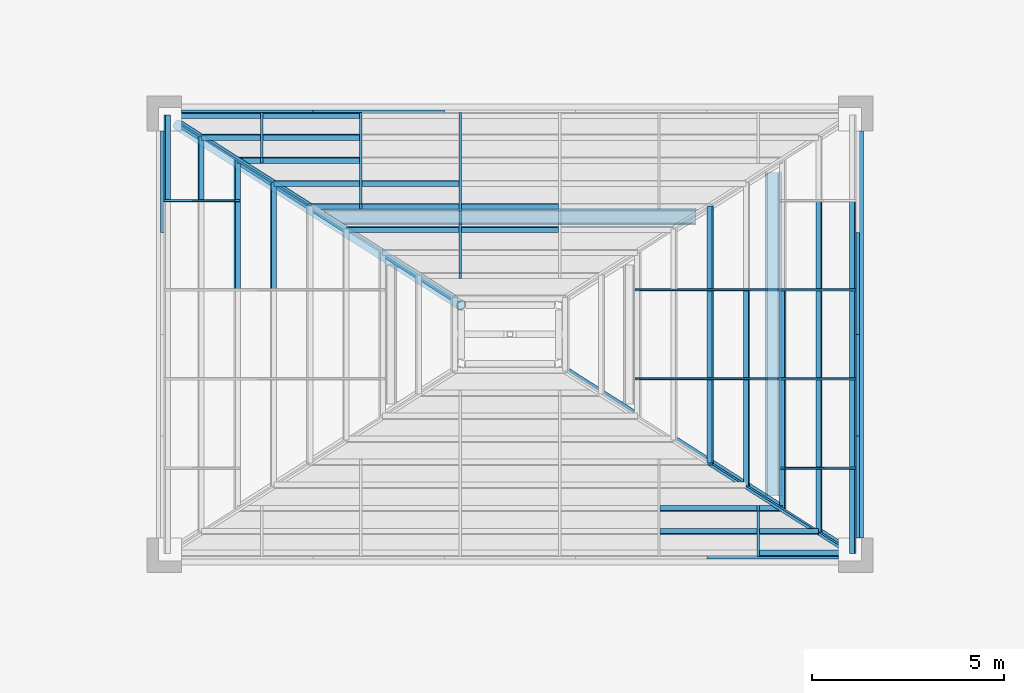
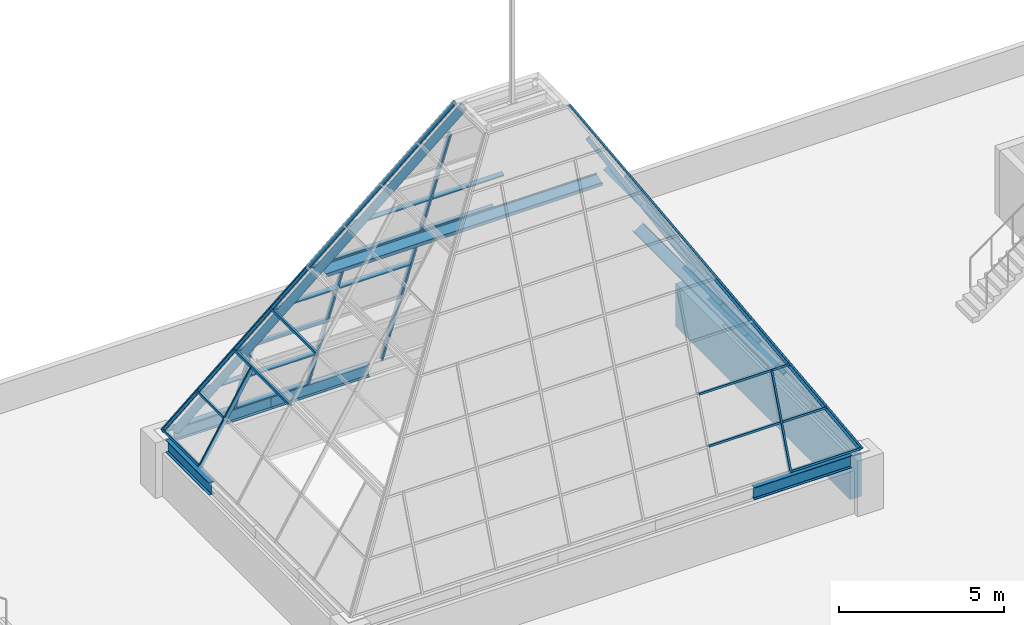
# One storey, part 3 of 8: 49 members, 8 beams, 4 elements without a shape of their own.
"""IFC4 building model written with IfcOpenShell, lengths in metres."""

from ifc_helpers import new_model, si_unit, direction, frame, origin, origin_2d, place, context, subcontext, project, spatial, rectangle, hollow_circle, i_section, extrude, material, layer, layer_set, material_profile, profile_set, type_object, element, aggregate, save


model = new_model("IFC4")

# Units and contexts
model_context = context("Model", 3, precision=1e-05, world=origin(), true_north=direction((0.0, 1.0)))
body_context = subcontext(model_context, "Body", "Model", "MODEL_VIEW")
ifc_project = project(units=[si_unit("LENGTHUNIT", "METRE"), si_unit("AREAUNIT", "SQUARE_METRE"), si_unit("VOLUMEUNIT", "CUBIC_METRE"), si_unit("PLANEANGLEUNIT", "RADIAN"), si_unit("MASSUNIT", "GRAM", prefix="KILO")], contexts=[model_context])

# Site, building, storey
site_placement = place(None, origin())
site = spatial("IfcSite", under=ifc_project, at=site_placement, CompositionType="ELEMENT")
building_placement = place(site_placement, origin())
building = spatial("IfcBuilding", under=site, at=building_placement, Name="Brigalow Station Residences", CompositionType="ELEMENT")
storey_placement = place(building_placement, frame((0.0, 0.0, 244.199951171875)))
storey = spatial("IfcBuildingStorey", under=building, at=storey_placement, Name="Roof", CompositionType="ELEMENT", Elevation=244.199951171875)

# Members
ifc_material_1 = material(Name="Steel Grade C350L0 to AS/NZS 1163", Category="steel")
ifc_material_profile_1 = material_profile(ifc_material_1, hollow_circle(Radius=0.136474609375, WallThickness=0.00927734375, at=origin_2d()), Name="273.1x9.3CHS")
ifc_profile_set_1 = profile_set([ifc_material_profile_1], Name="Steel Grade C350L0 to AS/NZS 1163")
member_type_1 = type_object("IfcMemberType", Name="CROWN FRAME HIP RIB 273.1x9.3CHS", PredefinedType="RAFTER", material=ifc_profile_set_1)
member_1_placement = place(storey_placement, frame((27.350341796875, 35.201416015625, 2.169677734375), z_axis=(0.490116390262, -0.311610602771, 0.814054516748), x_axis=(0.670788330844, 0.731216181017, -0.123959315187)))
element("IfcMember", 1, at=member_1_placement, inside=storey, type_object=member_type_1, Name="CROWN FRAME HIP RIB NW", PredefinedType="RAFTER", context=body_context, shape_type="SweptSolid", body=[
    extrude(hollow_circle(Radius=0.136474609375, WallThickness=0.00927734375, at=origin_2d()), origin(), (0.0, 0.0, 1.0), 15.051513671875),
])
ifc_material_2 = material(Name="Steel Grade 300 to AS/NZS 3679.1", Category="steel")
ifc_material_profile_2 = material_profile(ifc_material_2, i_section(OverallWidth=0.177978515625, OverallDepth=0.406494140625, WebThickness=0.0078125, FlangeThickness=0.0126953125, FilletRadius=0.011474609375, at=origin_2d()), Name="410UB59.7")
ifc_profile_set_2 = profile_set([ifc_material_profile_2], Name="Steel Grade 300 to AS/NZS 3679.1")
member_type_2 = type_object("IfcMemberType", Name="CROWN FRAME HOOP 410UB59.7 SPAN TO 10 M", PredefinedType="PURLIN", material=ifc_profile_set_2)
member_2_placement = place(storey_placement, frame((42.85986328125, 25.5419921875, 5.01318359375), z_axis=(0.0, 1.0, 0.0), x_axis=(-0.515812812605, 0.0, 0.85670131455)))
element("IfcMember", 2, at=member_2_placement, inside=storey, type_object=member_type_2, Name="CROWN FRAME HOOP E2", PredefinedType="PURLIN", context=body_context, shape_type="SweptSolid", body=[
    extrude(i_section(OverallWidth=0.177978515625, OverallDepth=0.406494140625, WebThickness=0.0078125, FlangeThickness=0.0126953125, FilletRadius=0.011474609375, at=origin_2d()), origin(), (0.0, 0.0, 1.0), 8.416015625),
])
member_3_placement = place(storey_placement, frame((40.847412109375, 32.820068359375, 8.203857421875), z_axis=(-1.0, 0.0, 0.0), x_axis=(0.0, -0.357491171676, 0.933916517775)))
element("IfcMember", 3, at=member_3_placement, inside=storey, type_object=member_type_2, Name="CROWN FRAME HOOP N4", PredefinedType="PURLIN", context=body_context, shape_type="SweptSolid", body=[
    extrude(i_section(OverallWidth=0.177978515625, OverallDepth=0.406494140625, WebThickness=0.0078125, FlangeThickness=0.0126953125, FilletRadius=0.011474609375, at=origin_2d()), origin(), (0.0, 0.0, 1.0), 9.69482421875),
])

# Beams
ifc_material_3 = material(Name="Steel Grade 300 to AS/NZS 3679.1", Category="steel")
ifc_material_profile_3 = material_profile(ifc_material_3, i_section(OverallWidth=0.19091796875, OverallDepth=0.46044921875, WebThickness=0.010009765625, FlangeThickness=0.01611328125, FilletRadius=0.011474609375, at=origin_2d()), Name="460UB82.1")
ifc_profile_set_3 = profile_set([ifc_material_profile_3], Name="Steel Grade 300 to AS/NZS 3679.1")
beam_type_1 = type_object("IfcBeamType", Name="CROWN FRAME RING BEAM 460UB82.1", PredefinedType="BEAM", material=ifc_profile_set_3)
beam_1_placement = place(storey_placement, frame((41.1298828125, 24.0, 1.830322265625), z_axis=(1.0, 0.0, 0.0), x_axis=(0.0, 1.0, 0.0)))
element("IfcBeam", 4, at=beam_1_placement, inside=storey, type_object=beam_type_1, Name="CROWN FRAME RING BEAM S5", PredefinedType="BEAM", context=body_context, shape_type="SweptSolid", body=[
    extrude(i_section(OverallWidth=0.19091796875, OverallDepth=0.46044921875, WebThickness=0.010009765625, FlangeThickness=0.01611328125, FilletRadius=0.011474609375, at=origin_2d()), origin(), (0.0, 0.0, 1.0), 3.420166015625),
])
beam_2_placement = place(storey_placement, frame((34.2900390625, 35.5, 1.830322265625), z_axis=(-1.0, 0.0, 0.0), x_axis=(0.0, -1.0, 0.0)))
element("IfcBeam", 5, at=beam_2_placement, inside=storey, type_object=beam_type_1, Name="CROWN FRAME RING BEAM N4", PredefinedType="BEAM", context=body_context, shape_type="SweptSolid", body=[
    extrude(i_section(OverallWidth=0.19091796875, OverallDepth=0.46044921875, WebThickness=0.010009765625, FlangeThickness=0.01611328125, FilletRadius=0.011474609375, at=origin_2d()), origin(), (0.0, 0.0, 1.0), 3.419921875),
])
beam_3_placement = place(storey_placement, frame((30.8701171875, 35.5, 1.830322265625), z_axis=(-1.0, 0.0, 0.0), x_axis=(0.0, -1.0, 0.0)))
element("IfcBeam", 6, at=beam_3_placement, inside=storey, type_object=beam_type_1, Name="CROWN FRAME RING BEAM N5", PredefinedType="BEAM", context=body_context, shape_type="SweptSolid", body=[
    extrude(i_section(OverallWidth=0.19091796875, OverallDepth=0.46044921875, WebThickness=0.010009765625, FlangeThickness=0.01611328125, FilletRadius=0.011474609375, at=origin_2d()), origin(), (0.0, 0.0, 1.0), 3.420166015625),
])
beam_4_placement = place(storey_placement, frame((45.0, 24.449951171875, 1.830322265625), z_axis=(0.0, 1.0, 0.0), x_axis=(-1.0, 0.0, 0.0)))
element("IfcBeam", 7, at=beam_4_placement, inside=storey, type_object=beam_type_1, Name="CROWN FRAME RING BEAM E1", PredefinedType="BEAM", context=body_context, shape_type="SweptSolid", body=[
    extrude(i_section(OverallWidth=0.19091796875, OverallDepth=0.46044921875, WebThickness=0.010009765625, FlangeThickness=0.01611328125, FilletRadius=0.011474609375, at=origin_2d()), origin(), (0.0, 0.0, 1.0), 2.650146484375),
])
for number, where, z_axis, x_axis, name in (
    (8, (45.0, 27.10009765625, 1.830322265625), (0.0, 1.0, 0.0), (-1.0, 0.0, 0.0), "CROWN FRAME RING BEAM E2"),
    (9, (45.0, 29.75, 1.830322265625), (0.0, 1.0, 0.0), (-1.0, 0.0, 0.0), "CROWN FRAME RING BEAM E3"),
):
    element("IfcBeam", number, at=place(storey_placement, frame(where, z_axis=z_axis, x_axis=x_axis)), inside=storey, type_object=beam_type_1, Name=name, PredefinedType="BEAM", context=body_context, shape_type="SweptSolid", body=[
        extrude(i_section(OverallWidth=0.19091796875, OverallDepth=0.46044921875, WebThickness=0.010009765625, FlangeThickness=0.01611328125, FilletRadius=0.011474609375, at=origin_2d()), origin(), (0.0, 0.0, 1.0), 2.64990234375),
    ])
beam_5_placement = place(storey_placement, frame((27.0, 35.050048828125, 1.830322265625), z_axis=(0.0, -1.0, 0.0), x_axis=(1.0, 0.0, 0.0)))
element("IfcBeam", 10, at=beam_5_placement, inside=storey, type_object=beam_type_1, Name="CROWN FRAME RING BEAM W1", PredefinedType="BEAM", context=body_context, shape_type="SweptSolid", body=[
    extrude(i_section(OverallWidth=0.19091796875, OverallDepth=0.46044921875, WebThickness=0.010009765625, FlangeThickness=0.01611328125, FilletRadius=0.011474609375, at=origin_2d()), origin(), (0.0, 0.0, 1.0), 2.650146484375),
])

# Curtain wall, members
ifc_material_4 = material(Name="Aluminium", Category="aluminium")
ifc_layer = layer(ifc_material_4, 0.14990234375)
ifc_layer_set = layer_set([ifc_layer], Name="CROWN CURTAIN WALL")
curtain_wall_type = type_object("IfcCurtainWallType", Name="CROWN CURTAIN WALL", PredefinedType="NOTDEFINED", material=ifc_layer_set)
curtain_wall_1_placement = place(storey_placement, origin())
curtain_wall_1 = element("IfcCurtainWall", 11, at=curtain_wall_1_placement, inside=storey, type_object=curtain_wall_type, Name="Roof/cw/crown-E", PredefinedType="NOTDEFINED")
ifc_material_5 = material(Name="Aluminium", Category="aluminium")
ifc_material_profile_4 = material_profile(ifc_material_5, rectangle(XDim=0.050048828125, YDim=0.14990234375, at=origin_2d()), Name="CROWN MULLION 50x150")
ifc_profile_set_4 = profile_set([ifc_material_profile_4], Name="Aluminium")
member_type_3 = type_object("IfcMemberType", Name="CROWN MULLION 50x150", PredefinedType="MULLION", material=ifc_profile_set_4)
member_4_placement = place(storey_placement, frame((44.93505859375, 24.008544921875, 2.10595703125), z_axis=(-0.490142364548, 0.311596240668, 0.814044375496), x_axis=(-0.160707203509, -0.950214597997, 0.266955824986)))
member_4 = element("IfcMember", 12, at=member_4_placement, type_object=member_type_3, Name="Roof/cw/crown-E/HL1", PredefinedType="MULLION", context=body_context, shape_type="SweptSolid", body=[
    extrude(rectangle(XDim=0.050048828125, YDim=0.14990234375, at=origin_2d()), origin(), (0.0, 0.0, 1.0), 7.5986328125),
])
member_5_placement = place(storey_placement, frame((44.939208984375, 26.27001953125, 2.09912109375), z_axis=(-0.515833026971, 0.0, 0.856689143322), x_axis=(0.0, -1.0, 0.0)))
member_5 = element("IfcMember", 13, at=member_5_placement, type_object=member_type_3, Name="Roof/cw/crown-E/M00", PredefinedType="MULLION", context=body_context, shape_type="SweptSolid", body=[
    extrude(rectangle(XDim=0.050048828125, YDim=0.14990234375, at=origin_2d()), origin(), (0.0, 0.0, 1.0), 3.569091796875),
])
member_6_placement = place(storey_placement, frame((44.939208984375, 28.590087890625, 2.09912109375), z_axis=(-0.515814192551, 0.0, 0.856700483695), x_axis=(0.0, -1.0, 0.0)))
member_6 = element("IfcMember", 14, at=member_6_placement, type_object=member_type_3, Name="Roof/cw/crown-E/M01", PredefinedType="MULLION", context=body_context, shape_type="SweptSolid", body=[
    extrude(rectangle(XDim=0.050048828125, YDim=0.14990234375, at=origin_2d()), origin(), (0.0, 0.0, 1.0), 10.8876953125),
])
member_7_placement = place(storey_placement, frame((44.939208984375, 30.909912109375, 2.09912109375), z_axis=(-0.515814192551, 0.0, 0.856700483695), x_axis=(0.0, -1.0, 0.0)))
member_7 = element("IfcMember", 15, at=member_7_placement, type_object=member_type_3, Name="Roof/cw/crown-E/M02", PredefinedType="MULLION", context=body_context, shape_type="SweptSolid", body=[
    extrude(rectangle(XDim=0.050048828125, YDim=0.14990234375, at=origin_2d()), origin(), (0.0, 0.0, 1.0), 10.8876953125),
])

curtain_wall_2_placement = place(storey_placement, origin())
curtain_wall_2 = element("IfcCurtainWall", 16, at=curtain_wall_2_placement, inside=storey, type_object=curtain_wall_type, Name="Roof/cw/crown-W", PredefinedType="NOTDEFINED")
member_8_placement = place(storey_placement, frame((27.06494140625, 35.491455078125, 2.10595703125), z_axis=(0.490142364548, -0.311596240668, 0.814044375496), x_axis=(0.160707203509, 0.950214597997, 0.266955824986)))
member_8 = element("IfcMember", 17, at=member_8_placement, type_object=member_type_3, Name="Roof/cw/crown-W/HL1", PredefinedType="MULLION", context=body_context, shape_type="SweptSolid", body=[
    extrude(rectangle(XDim=0.050048828125, YDim=0.14990234375, at=origin_2d()), origin(), (0.0, 0.0, 1.0), 7.5986328125),
])
member_9_placement = place(storey_placement, frame((27.060791015625, 33.22998046875, 2.09912109375), z_axis=(0.515833026971, 0.0, 0.856689143322), x_axis=(0.0, 1.0, 0.0)))
member_9 = element("IfcMember", 18, at=member_9_placement, type_object=member_type_3, Name="Roof/cw/crown-W/M00", PredefinedType="MULLION", context=body_context, shape_type="SweptSolid", body=[
    extrude(rectangle(XDim=0.050048828125, YDim=0.14990234375, at=origin_2d()), origin(), (0.0, 0.0, 1.0), 3.569091796875),
])

curtain_wall_3_placement = place(storey_placement, origin())
curtain_wall_3 = element("IfcCurtainWall", 19, at=curtain_wall_3_placement, inside=storey, type_object=curtain_wall_type, Name="Roof/cw/crown-S", PredefinedType="NOTDEFINED")
ifc_material_6 = material(Name="Aluminium", Category="aluminium")
ifc_material_profile_5 = material_profile(ifc_material_6, rectangle(XDim=0.06494140625, YDim=0.14990234375, at=origin_2d()), Name="CROWN MULLION 65x150")
ifc_profile_set_5 = profile_set([ifc_material_profile_5], Name="Aluminium")
member_type_4 = type_object("IfcMemberType", Name="CROWN MULLION 65x150", PredefinedType="MULLION", material=ifc_profile_set_5)
member_10_placement = place(storey_placement, frame((44.971435546875, 24.04638671875, 2.10205078125), z_axis=(-0.490131750728, 0.311599236636, 0.814049619284), x_axis=(-0.871648361899, -0.175225678842, -0.45773911202)))
member_10 = element("IfcMember", 20, at=member_10_placement, type_object=member_type_4, Name="Roof/cw/crown-S/HR", PredefinedType="MULLION", context=body_context, shape_type="SweptSolid", body=[
    extrude(rectangle(XDim=0.06494140625, YDim=0.14990234375, at=origin_2d()), origin(), (0.0, 0.0, 1.0), 15.31982421875),
])
member_11_placement = place(storey_placement, frame((42.46435546875, 24.04052734375, 2.087158203125), z_axis=(0.0, 0.357481124807, 0.933920363525), x_axis=(-1.0, 0.0, 0.0)))
member_11 = element("IfcMember", 21, at=member_11_placement, type_object=member_type_4, Name="Roof/cw/crown-S/M05", PredefinedType="MULLION", context=body_context, shape_type="SweptSolid", body=[
    extrude(rectangle(XDim=0.06494140625, YDim=0.14990234375, at=origin_2d()), origin(), (0.0, 0.0, 1.0), 3.29931640625),
])

curtain_wall_4_placement = place(storey_placement, origin())
curtain_wall_4 = element("IfcCurtainWall", 22, at=curtain_wall_4_placement, inside=storey, type_object=curtain_wall_type, Name="Roof/cw/crown-N", PredefinedType="NOTDEFINED")
member_12_placement = place(storey_placement, frame((27.028564453125, 35.45361328125, 2.10205078125), z_axis=(0.490131750728, -0.311599236636, 0.814049619284), x_axis=(0.871648361899, 0.175225678842, -0.45773911202)))
member_12 = element("IfcMember", 23, at=member_12_placement, type_object=member_type_4, Name="Roof/cw/crown-N/HR", PredefinedType="MULLION", context=body_context, shape_type="SweptSolid", body=[
    extrude(rectangle(XDim=0.06494140625, YDim=0.14990234375, at=origin_2d()), origin(), (0.0, 0.0, 1.0), 15.31982421875),
])
member_13_placement = place(storey_placement, frame((34.70703125, 35.45947265625, 2.087158203125), z_axis=(0.0, -0.357484135166, 0.93391921123), x_axis=(1.0, 0.0, 0.0)))
member_13 = element("IfcMember", 24, at=member_13_placement, type_object=member_type_4, Name="Roof/cw/crown-N/M03", PredefinedType="MULLION", context=body_context, shape_type="SweptSolid", body=[
    extrude(rectangle(XDim=0.06494140625, YDim=0.14990234375, at=origin_2d()), origin(), (0.0, 0.0, 1.0), 11.691162109375),
])
member_14_placement = place(storey_placement, frame((32.121337890625, 35.45947265625, 2.087158203125), z_axis=(0.0, -0.357474392357, 0.933922940509), x_axis=(1.0, 0.0, 0.0)))
member_14 = element("IfcMember", 25, at=member_14_placement, type_object=member_type_4, Name="Roof/cw/crown-N/M04", PredefinedType="MULLION", context=body_context, shape_type="SweptSolid", body=[
    extrude(rectangle(XDim=0.06494140625, YDim=0.14990234375, at=origin_2d()), origin(), (0.0, 0.0, 1.0), 6.656005859375),
])
member_15_placement = place(storey_placement, frame((29.53564453125, 35.45947265625, 2.087158203125), z_axis=(0.0, -0.357481124807, 0.933920363525), x_axis=(1.0, 0.0, 0.0)))
member_15 = element("IfcMember", 26, at=member_15_placement, type_object=member_type_4, Name="Roof/cw/crown-N/M05", PredefinedType="MULLION", context=body_context, shape_type="SweptSolid", body=[
    extrude(rectangle(XDim=0.06494140625, YDim=0.14990234375, at=origin_2d()), origin(), (0.0, 0.0, 1.0), 3.29931640625),
])

# Member
ifc_material_7 = material(Name="Aluminium", Category="aluminium")
ifc_material_profile_6 = material_profile(ifc_material_7, rectangle(XDim=0.06494140625, YDim=0.14990234375, at=origin_2d()), Name="CROWN TRANSOM 65x150")
ifc_profile_set_6 = profile_set([ifc_material_profile_6], Name="Aluminium")
member_type_5 = type_object("IfcMemberType", Name="CROWN TRANSOM 65x150", PredefinedType="USERDEFINED", material=ifc_profile_set_6)
member_16_placement = place(storey_placement, frame((42.496826171875, 24.05224609375, 2.11767578125), z_axis=(1.0, 0.0, 0.0), x_axis=(0.0, 0.357491171676, 0.933916517775)))
member_16 = element("IfcMember", 27, at=member_16_placement, type_object=member_type_5, Name="Roof/cw/crown-S/T06-00", ObjectType="TRANSOM", PredefinedType="USERDEFINED", context=body_context, shape_type="SweptSolid", body=[
    extrude(rectangle(XDim=0.06494140625, YDim=0.14990234375, at=origin_2d()), origin(), (0.0, 0.0, 1.0), 2.427978515625),
])

member_17_placement = place(storey_placement, frame((39.9111328125, 24.6201171875, 3.60107421875), z_axis=(1.0, 0.0, 0.0), x_axis=(0.0, 0.357491171676, 0.933916517775)))
member_17 = element("IfcMember", 28, at=member_17_placement, type_object=member_type_5, Name="Roof/cw/crown-S/T05-01", ObjectType="TRANSOM", PredefinedType="USERDEFINED", context=body_context, shape_type="SweptSolid", body=[
    extrude(rectangle(XDim=0.06494140625, YDim=0.14990234375, at=origin_2d()), origin(), (0.0, 0.0, 1.0), 2.520751953125),
])

member_18_placement = place(storey_placement, frame((42.496826171875, 24.6201171875, 3.60107421875), z_axis=(1.0, 0.0, 0.0), x_axis=(0.0, 0.357491171676, 0.933916517775)))
member_18 = element("IfcMember", 29, at=member_18_placement, type_object=member_type_5, Name="Roof/cw/crown-S/T06-01", ObjectType="TRANSOM", PredefinedType="USERDEFINED", context=body_context, shape_type="SweptSolid", body=[
    extrude(rectangle(XDim=0.06494140625, YDim=0.14990234375, at=origin_2d()), origin(), (0.0, 0.0, 1.0), 1.534912109375),
])

member_19_placement = place(storey_placement, frame((39.9111328125, 25.219970703125, 5.16845703125), z_axis=(1.0, 0.0, 0.0), x_axis=(0.0, 0.357491171676, 0.933916517775)))
member_19 = element("IfcMember", 30, at=member_19_placement, type_object=member_type_5, Name="Roof/cw/crown-S/T04-02", ObjectType="TRANSOM", PredefinedType="USERDEFINED", context=body_context, shape_type="SweptSolid", body=[
    extrude(rectangle(XDim=0.06494140625, YDim=0.14990234375, at=origin_2d()), origin(), (0.0, 0.0, 1.0), 3.1767578125),
])

aggregate(curtain_wall_3, [member_10, member_11, member_16, member_17, member_18, member_19])

member_20_placement = place(storey_placement, frame((44.92236328125, 24.04296875, 2.126953125), z_axis=(0.0, 1.0, 0.0), x_axis=(-0.515812812605, 0.0, 0.85670131455)))
member_20 = element("IfcMember", 31, at=member_20_placement, type_object=member_type_5, Name="Roof/cw/crown-E/T00-00", ObjectType="TRANSOM", PredefinedType="USERDEFINED", context=body_context, shape_type="SweptSolid", body=[
    extrude(rectangle(XDim=0.06494140625, YDim=0.14990234375, at=origin_2d()), origin(), (0.0, 0.0, 1.0), 2.2021484375),
])

member_21_placement = place(storey_placement, frame((44.92236328125, 26.294921875, 2.126953125), z_axis=(0.0, 1.0, 0.0), x_axis=(-0.515812812605, 0.0, 0.85670131455)))
member_21 = element("IfcMember", 32, at=member_21_placement, type_object=member_type_5, Name="Roof/cw/crown-E/T01-00", ObjectType="TRANSOM", PredefinedType="USERDEFINED", context=body_context, shape_type="SweptSolid", body=[
    extrude(rectangle(XDim=0.06494140625, YDim=0.14990234375, at=origin_2d()), origin(), (0.0, 0.0, 1.0), 2.27001953125),
])

member_22_placement = place(storey_placement, frame((44.92236328125, 28.614990234375, 2.126953125), z_axis=(0.0, 1.0, 0.0), x_axis=(-0.515812812605, 0.0, 0.85670131455)))
member_22 = element("IfcMember", 33, at=member_22_placement, type_object=member_type_5, Name="Roof/cw/crown-E/T02-00", ObjectType="TRANSOM", PredefinedType="USERDEFINED", context=body_context, shape_type="SweptSolid", body=[
    extrude(rectangle(XDim=0.06494140625, YDim=0.14990234375, at=origin_2d()), origin(), (0.0, 0.0, 1.0), 2.27001953125),
])

member_23_placement = place(storey_placement, frame((44.92236328125, 30.93505859375, 2.126953125), z_axis=(0.0, 1.0, 0.0), x_axis=(-0.515812812605, 0.0, 0.85670131455)))
member_23 = element("IfcMember", 34, at=member_23_placement, type_object=member_type_5, Name="Roof/cw/crown-E/T03-00", ObjectType="TRANSOM", PredefinedType="USERDEFINED", context=body_context, shape_type="SweptSolid", body=[
    extrude(rectangle(XDim=0.06494140625, YDim=0.14990234375, at=origin_2d()), origin(), (0.0, 0.0, 1.0), 2.27001953125),
])

member_24_placement = place(storey_placement, frame((44.0419921875, 24.6025390625, 3.58935546875), z_axis=(0.0, 1.0, 0.0), x_axis=(-0.515812812605, 0.0, 0.85670131455)))
member_24 = element("IfcMember", 35, at=member_24_placement, type_object=member_type_5, Name="Roof/cw/crown-E/T00-01", ObjectType="TRANSOM", PredefinedType="USERDEFINED", context=body_context, shape_type="SweptSolid", body=[
    extrude(rectangle(XDim=0.06494140625, YDim=0.14990234375, at=origin_2d()), origin(), (0.0, 0.0, 1.0), 1.642578125),
])

member_25_placement = place(storey_placement, frame((44.0419921875, 26.294921875, 3.58935546875), z_axis=(0.0, 1.0, 0.0), x_axis=(-0.515812812605, 0.0, 0.85670131455)))
member_25 = element("IfcMember", 36, at=member_25_placement, type_object=member_type_5, Name="Roof/cw/crown-E/T01-01", ObjectType="TRANSOM", PredefinedType="USERDEFINED", context=body_context, shape_type="SweptSolid", body=[
    extrude(rectangle(XDim=0.06494140625, YDim=0.14990234375, at=origin_2d()), origin(), (0.0, 0.0, 1.0), 2.27001953125),
])

member_26_placement = place(storey_placement, frame((44.0419921875, 28.614990234375, 3.58935546875), z_axis=(0.0, 1.0, 0.0), x_axis=(-0.515812812605, 0.0, 0.85670131455)))
member_26 = element("IfcMember", 37, at=member_26_placement, type_object=member_type_5, Name="Roof/cw/crown-E/T02-01", ObjectType="TRANSOM", PredefinedType="USERDEFINED", context=body_context, shape_type="SweptSolid", body=[
    extrude(rectangle(XDim=0.06494140625, YDim=0.14990234375, at=origin_2d()), origin(), (0.0, 0.0, 1.0), 2.27001953125),
])

member_27_placement = place(storey_placement, frame((44.0419921875, 30.93505859375, 3.58935546875), z_axis=(0.0, 1.0, 0.0), x_axis=(-0.515812812605, 0.0, 0.85670131455)))
member_27 = element("IfcMember", 38, at=member_27_placement, type_object=member_type_5, Name="Roof/cw/crown-E/T03-01", ObjectType="TRANSOM", PredefinedType="USERDEFINED", context=body_context, shape_type="SweptSolid", body=[
    extrude(rectangle(XDim=0.06494140625, YDim=0.14990234375, at=origin_2d()), origin(), (0.0, 0.0, 1.0), 2.27001953125),
])

member_28_placement = place(storey_placement, frame((43.09814453125, 25.20263671875, 5.15673828125), z_axis=(0.0, 1.0, 0.0), x_axis=(-0.515812812605, 0.0, 0.85670131455)))
member_28 = element("IfcMember", 39, at=member_28_placement, type_object=member_type_5, Name="Roof/cw/crown-E/T00-02", ObjectType="TRANSOM", PredefinedType="USERDEFINED", context=body_context, shape_type="SweptSolid", body=[
    extrude(rectangle(XDim=0.06494140625, YDim=0.14990234375, at=origin_2d()), origin(), (0.0, 0.0, 1.0), 3.3623046875),
])

member_29_placement = place(storey_placement, frame((43.09814453125, 28.614990234375, 5.15673828125), z_axis=(0.0, 1.0, 0.0), x_axis=(-0.515812812605, 0.0, 0.85670131455)))
member_29 = element("IfcMember", 40, at=member_29_placement, type_object=member_type_5, Name="Roof/cw/crown-E/T01-02", ObjectType="TRANSOM", PredefinedType="USERDEFINED", context=body_context, shape_type="SweptSolid", body=[
    extrude(rectangle(XDim=0.06494140625, YDim=0.14990234375, at=origin_2d()), origin(), (0.0, 0.0, 1.0), 2.27001953125),
])

member_30_placement = place(storey_placement, frame((42.154541015625, 25.802490234375, 6.72412109375), z_axis=(0.0, 1.0, 0.0), x_axis=(-0.515812812605, 0.0, 0.85670131455)))
member_30 = element("IfcMember", 41, at=member_30_placement, type_object=member_type_5, Name="Roof/cw/crown-E/T00-03", ObjectType="TRANSOM", PredefinedType="USERDEFINED", context=body_context, shape_type="SweptSolid", body=[
    extrude(rectangle(XDim=0.06494140625, YDim=0.14990234375, at=origin_2d()), origin(), (0.0, 0.0, 1.0), 2.762451171875),
])

member_31_placement = place(storey_placement, frame((42.154541015625, 28.614990234375, 6.72412109375), z_axis=(0.0, 1.0, 0.0), x_axis=(-0.515812812605, 0.0, 0.85670131455)))
member_31 = element("IfcMember", 42, at=member_31_placement, type_object=member_type_5, Name="Roof/cw/crown-E/T01-03", ObjectType="TRANSOM", PredefinedType="USERDEFINED", context=body_context, shape_type="SweptSolid", body=[
    extrude(rectangle(XDim=0.06494140625, YDim=0.14990234375, at=origin_2d()), origin(), (0.0, 0.0, 1.0), 2.27001953125),
])

member_32_placement = place(storey_placement, frame((41.210693359375, 26.402587890625, 8.29150390625), z_axis=(0.0, 1.0, 0.0), x_axis=(-0.515812812605, 0.0, 0.85670131455)))
member_32 = element("IfcMember", 43, at=member_32_placement, type_object=member_type_5, Name="Roof/cw/crown-E/T00-04", ObjectType="TRANSOM", PredefinedType="USERDEFINED", context=body_context, shape_type="SweptSolid", body=[
    extrude(rectangle(XDim=0.06494140625, YDim=0.14990234375, at=origin_2d()), origin(), (0.0, 0.0, 1.0), 2.162353515625),
])

member_33_placement = place(storey_placement, frame((41.210693359375, 28.614990234375, 8.29150390625), z_axis=(0.0, 1.0, 0.0), x_axis=(-0.515812812605, 0.0, 0.85670131455)))
member_33 = element("IfcMember", 44, at=member_33_placement, type_object=member_type_5, Name="Roof/cw/crown-E/T01-04", ObjectType="TRANSOM", PredefinedType="USERDEFINED", context=body_context, shape_type="SweptSolid", body=[
    extrude(rectangle(XDim=0.06494140625, YDim=0.14990234375, at=origin_2d()), origin(), (0.0, 0.0, 1.0), 2.27001953125),
])

member_34_placement = place(storey_placement, frame((41.210693359375, 30.93505859375, 8.29150390625), z_axis=(0.0, 1.0, 0.0), x_axis=(-0.515812812605, 0.0, 0.85670131455)))
member_34 = element("IfcMember", 45, at=member_34_placement, type_object=member_type_5, Name="Roof/cw/crown-E/T02-04", ObjectType="TRANSOM", PredefinedType="USERDEFINED", context=body_context, shape_type="SweptSolid", body=[
    extrude(rectangle(XDim=0.06494140625, YDim=0.14990234375, at=origin_2d()), origin(), (0.0, 0.0, 1.0), 2.162353515625),
])

aggregate(curtain_wall_1, [member_4, member_5, member_6, member_7, member_20, member_21, member_22, member_23, member_24, member_25, member_26, member_27, member_28, member_29, member_30, member_31, member_32, member_33, member_34])

member_35_placement = place(storey_placement, frame((32.0888671875, 35.44775390625, 2.11767578125), z_axis=(-1.0, 0.0, 0.0), x_axis=(0.0, -0.357491171676, 0.933916517775)))
member_35 = element("IfcMember", 46, at=member_35_placement, type_object=member_type_5, Name="Roof/cw/crown-N/T05-00", ObjectType="TRANSOM", PredefinedType="USERDEFINED", context=body_context, shape_type="SweptSolid", body=[
    extrude(rectangle(XDim=0.06494140625, YDim=0.14990234375, at=origin_2d()), origin(), (0.0, 0.0, 1.0), 2.520751953125),
])

member_36_placement = place(storey_placement, frame((29.503173828125, 35.44775390625, 2.11767578125), z_axis=(-1.0, 0.0, 0.0), x_axis=(0.0, -0.357491171676, 0.933916517775)))
member_36 = element("IfcMember", 47, at=member_36_placement, type_object=member_type_5, Name="Roof/cw/crown-N/T06-00", ObjectType="TRANSOM", PredefinedType="USERDEFINED", context=body_context, shape_type="SweptSolid", body=[
    extrude(rectangle(XDim=0.06494140625, YDim=0.14990234375, at=origin_2d()), origin(), (0.0, 0.0, 1.0), 2.427978515625),
])

member_37_placement = place(storey_placement, frame((32.0888671875, 34.8798828125, 3.60107421875), z_axis=(-1.0, 0.0, 0.0), x_axis=(0.0, -0.357491171676, 0.933916517775)))
member_37 = element("IfcMember", 48, at=member_37_placement, type_object=member_type_5, Name="Roof/cw/crown-N/T05-01", ObjectType="TRANSOM", PredefinedType="USERDEFINED", context=body_context, shape_type="SweptSolid", body=[
    extrude(rectangle(XDim=0.06494140625, YDim=0.14990234375, at=origin_2d()), origin(), (0.0, 0.0, 1.0), 2.520751953125),
])

member_38_placement = place(storey_placement, frame((29.503173828125, 34.8798828125, 3.60107421875), z_axis=(-1.0, 0.0, 0.0), x_axis=(0.0, -0.357491171676, 0.933916517775)))
member_38 = element("IfcMember", 49, at=member_38_placement, type_object=member_type_5, Name="Roof/cw/crown-N/T06-01", ObjectType="TRANSOM", PredefinedType="USERDEFINED", context=body_context, shape_type="SweptSolid", body=[
    extrude(rectangle(XDim=0.06494140625, YDim=0.14990234375, at=origin_2d()), origin(), (0.0, 0.0, 1.0), 1.534912109375),
])

member_39_placement = place(storey_placement, frame((32.0888671875, 34.280029296875, 5.16845703125), z_axis=(-1.0, 0.0, 0.0), x_axis=(0.0, -0.357491171676, 0.933916517775)))
member_39 = element("IfcMember", 50, at=member_39_placement, type_object=member_type_5, Name="Roof/cw/crown-N/T04-02", ObjectType="TRANSOM", PredefinedType="USERDEFINED", context=body_context, shape_type="SweptSolid", body=[
    extrude(rectangle(XDim=0.06494140625, YDim=0.14990234375, at=origin_2d()), origin(), (0.0, 0.0, 1.0), 3.1767578125),
])

member_40_placement = place(storey_placement, frame((34.674560546875, 33.679931640625, 6.73583984375), z_axis=(-1.0, 0.0, 0.0), x_axis=(0.0, -0.357491171676, 0.933916517775)))
member_40 = element("IfcMember", 51, at=member_40_placement, type_object=member_type_5, Name="Roof/cw/crown-N/T03-03", ObjectType="TRANSOM", PredefinedType="USERDEFINED", context=body_context, shape_type="SweptSolid", body=[
    extrude(rectangle(XDim=0.06494140625, YDim=0.14990234375, at=origin_2d()), origin(), (0.0, 0.0, 1.0), 2.520751953125),
])

member_41_placement = place(storey_placement, frame((32.0888671875, 33.679931640625, 6.73583984375), z_axis=(-1.0, 0.0, 0.0), x_axis=(0.0, -0.357491171676, 0.933916517775)))
member_41 = element("IfcMember", 52, at=member_41_placement, type_object=member_type_5, Name="Roof/cw/crown-N/T04-03", ObjectType="TRANSOM", PredefinedType="USERDEFINED", context=body_context, shape_type="SweptSolid", body=[
    extrude(rectangle(XDim=0.06494140625, YDim=0.14990234375, at=origin_2d()), origin(), (0.0, 0.0, 1.0), 2.233154296875),
])

member_42_placement = place(storey_placement, frame((37.260498046875, 33.080078125, 8.303466796875), z_axis=(-1.0, 0.0, 0.0), x_axis=(0.0, -0.357491171676, 0.933916517775)))
member_42 = element("IfcMember", 53, at=member_42_placement, type_object=member_type_5, Name="Roof/cw/crown-N/T01-04", ObjectType="TRANSOM", PredefinedType="USERDEFINED", context=body_context, shape_type="SweptSolid", body=[
    extrude(rectangle(XDim=0.06494140625, YDim=0.14990234375, at=origin_2d()), origin(), (0.0, 0.0, 1.0), 2.52099609375),
])

member_43_placement = place(storey_placement, frame((34.674560546875, 33.080078125, 8.303466796875), z_axis=(-1.0, 0.0, 0.0), x_axis=(0.0, -0.357491171676, 0.933916517775)))
member_43 = element("IfcMember", 54, at=member_43_placement, type_object=member_type_5, Name="Roof/cw/crown-N/T02-04", ObjectType="TRANSOM", PredefinedType="USERDEFINED", context=body_context, shape_type="SweptSolid", body=[
    extrude(rectangle(XDim=0.06494140625, YDim=0.14990234375, at=origin_2d()), origin(), (0.0, 0.0, 1.0), 3.875),
])

member_44_placement = place(storey_placement, frame((37.260498046875, 32.47998046875, 9.870849609375), z_axis=(-1.0, 0.0, 0.0), x_axis=(0.0, -0.357491171676, 0.933916517775)))
member_44 = element("IfcMember", 55, at=member_44_placement, type_object=member_type_5, Name="Roof/cw/crown-N/T01-05", ObjectType="TRANSOM", PredefinedType="USERDEFINED", context=body_context, shape_type="SweptSolid", body=[
    extrude(rectangle(XDim=0.06494140625, YDim=0.14990234375, at=origin_2d()), origin(), (0.0, 0.0, 1.0), 2.52099609375),
])

member_45_placement = place(storey_placement, frame((34.674560546875, 32.47998046875, 9.870849609375), z_axis=(-1.0, 0.0, 0.0), x_axis=(0.0, -0.357491171676, 0.933916517775)))
member_45 = element("IfcMember", 56, at=member_45_placement, type_object=member_type_5, Name="Roof/cw/crown-N/T02-05", ObjectType="TRANSOM", PredefinedType="USERDEFINED", context=body_context, shape_type="SweptSolid", body=[
    extrude(rectangle(XDim=0.06494140625, YDim=0.14990234375, at=origin_2d()), origin(), (0.0, 0.0, 1.0), 2.93115234375),
])

aggregate(curtain_wall_4, [member_12, member_13, member_14, member_15, member_35, member_36, member_37, member_38, member_39, member_40, member_41, member_42, member_43, member_44, member_45])

member_46_placement = place(storey_placement, frame((27.07763671875, 35.45703125, 2.126953125), z_axis=(0.0, -1.0, 0.0), x_axis=(0.515812812605, 0.0, 0.85670131455)))
member_46 = element("IfcMember", 57, at=member_46_placement, type_object=member_type_5, Name="Roof/cw/crown-W/T00-00", ObjectType="TRANSOM", PredefinedType="USERDEFINED", context=body_context, shape_type="SweptSolid", body=[
    extrude(rectangle(XDim=0.06494140625, YDim=0.14990234375, at=origin_2d()), origin(), (0.0, 0.0, 1.0), 2.2021484375),
])

member_47_placement = place(storey_placement, frame((27.9580078125, 34.8974609375, 3.58935546875), z_axis=(0.0, -1.0, 0.0), x_axis=(0.515812812605, 0.0, 0.85670131455)))
member_47 = element("IfcMember", 58, at=member_47_placement, type_object=member_type_5, Name="Roof/cw/crown-W/T00-01", ObjectType="TRANSOM", PredefinedType="USERDEFINED", context=body_context, shape_type="SweptSolid", body=[
    extrude(rectangle(XDim=0.06494140625, YDim=0.14990234375, at=origin_2d()), origin(), (0.0, 0.0, 1.0), 1.642578125),
])

member_48_placement = place(storey_placement, frame((28.90185546875, 34.29736328125, 5.15673828125), z_axis=(0.0, -1.0, 0.0), x_axis=(0.515812812605, 0.0, 0.85670131455)))
member_48 = element("IfcMember", 59, at=member_48_placement, type_object=member_type_5, Name="Roof/cw/crown-W/T00-02", ObjectType="TRANSOM", PredefinedType="USERDEFINED", context=body_context, shape_type="SweptSolid", body=[
    extrude(rectangle(XDim=0.06494140625, YDim=0.14990234375, at=origin_2d()), origin(), (0.0, 0.0, 1.0), 3.3623046875),
])

member_49_placement = place(storey_placement, frame((29.845458984375, 33.697509765625, 6.72412109375), z_axis=(0.0, -1.0, 0.0), x_axis=(0.515812812605, 0.0, 0.85670131455)))
member_49 = element("IfcMember", 60, at=member_49_placement, type_object=member_type_5, Name="Roof/cw/crown-W/T00-03", ObjectType="TRANSOM", PredefinedType="USERDEFINED", context=body_context, shape_type="SweptSolid", body=[
    extrude(rectangle(XDim=0.06494140625, YDim=0.14990234375, at=origin_2d()), origin(), (0.0, 0.0, 1.0), 2.762451171875),
])

aggregate(curtain_wall_2, [member_8, member_9, member_46, member_47, member_48, member_49])

# Beam
ifc_material_8 = material(Name="Concrete C65", Category="concrete")
ifc_material_profile_7 = material_profile(ifc_material_8, rectangle(XDim=0.39990234375, YDim=1.60009765625, at=origin_2d()), Name="RC400x1600")
ifc_profile_set_7 = profile_set([ifc_material_profile_7], Name="Concrete C65")
beam_type_2 = type_object("IfcBeamType", Name="ROOF ATRIUM UPSTAND GIRDER 400x1600 C65 SPAN TO 11 M", PredefinedType="BEAM", material=ifc_profile_set_7)
beam_6_placement = place(storey_placement, frame((45.0, 24.449951171875, 0.800048828125), z_axis=(0.0, 1.0, 0.0), x_axis=(-1.0, 0.0, 0.0)))
element("IfcBeam", 61, at=beam_6_placement, inside=storey, type_object=beam_type_2, Name="ROOF ATRIUM UPSTAND GIRDER E", PredefinedType="BEAM", context=body_context, shape_type="SweptSolid", body=[
    extrude(rectangle(XDim=0.39990234375, YDim=1.60009765625, at=origin_2d()), origin(), (0.0, 0.0, 1.0), 10.60009765625),
])

save(model, "model.ifc")
